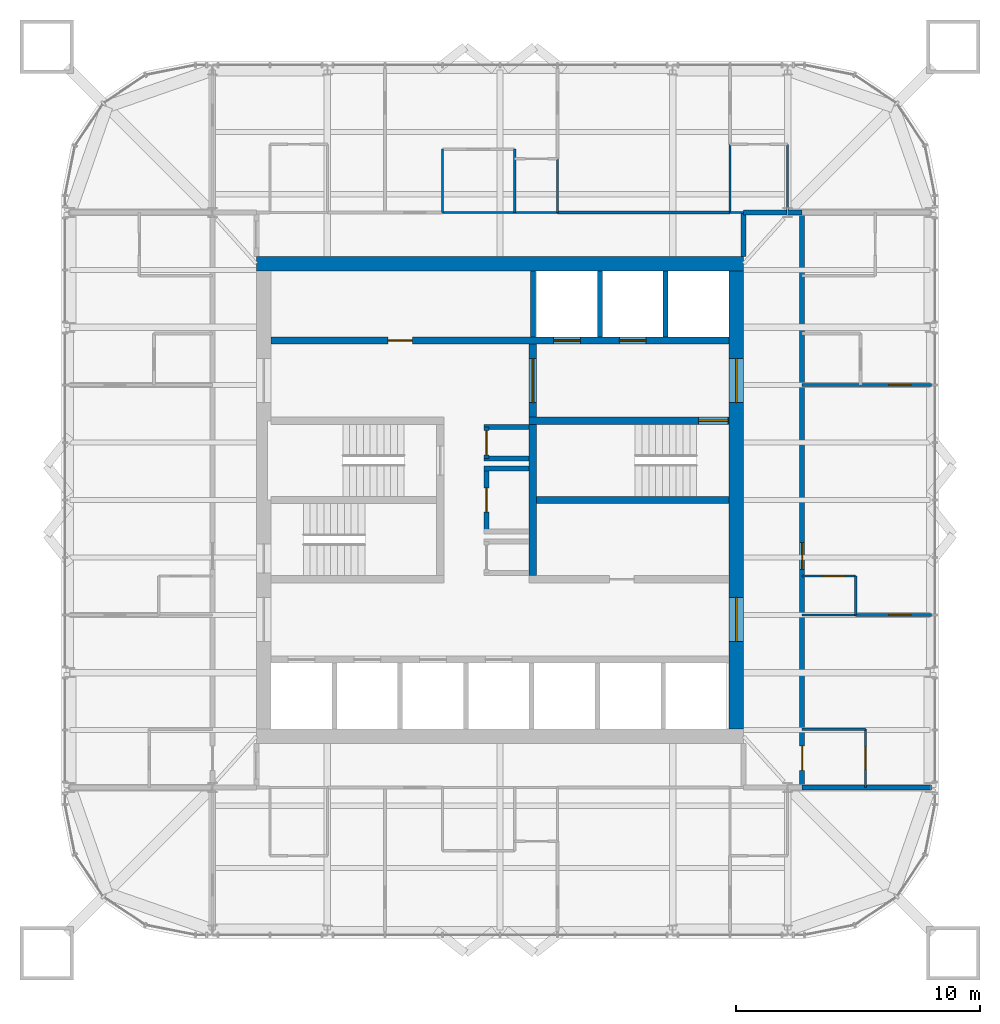
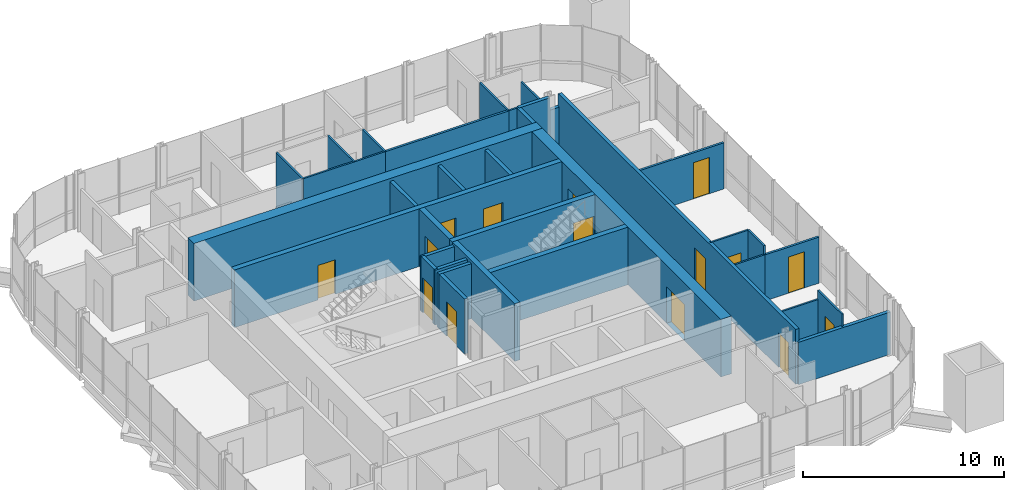
# One storey, part 15 of 17: 34 walls, 15 doors, 15 openings.
"""IFC4 building model written with IfcOpenShell, lengths in metres."""

from ifc_helpers import new_model, si_unit, direction, frame, frame_2d, origin, place, context, subcontext, project, spatial, rectangle, extrude, material, layer, layer_set, type_object, element, fill, save


model = new_model("IFC4")

# Units and contexts
model_context = context("Model", 3, precision=1e-05, world=origin(), true_north=direction((0.0, 1.0)))
body_context = subcontext(model_context, "Body", "Model", "MODEL_VIEW")
ifc_project = project(units=[si_unit("LENGTHUNIT", "METRE"), si_unit("AREAUNIT", "SQUARE_METRE"), si_unit("VOLUMEUNIT", "CUBIC_METRE"), si_unit("PLANEANGLEUNIT", "RADIAN"), si_unit("MASSUNIT", "GRAM", prefix="KILO")], contexts=[model_context])

# Site, building, storey
site_placement = place(None, origin())
site = spatial("IfcSite", under=ifc_project, at=site_placement, CompositionType="ELEMENT")
building_placement = place(site_placement, origin())
building = spatial("IfcBuilding", under=site, at=building_placement, Name="Turquesa Mirador Hotel Tower", CompositionType="ELEMENT")
storey_placement = place(building_placement, frame((0.0, 0.0, 247.699951171875)))
storey = spatial("IfcBuildingStorey", under=building, at=storey_placement, Name="L67", CompositionType="ELEMENT", Elevation=247.699951171875)

# Wall, opening, door
ifc_material_1 = material(Name="Gypsum board on steel studs", Category="steel")
ifc_layer_1 = layer(ifc_material_1, 0.10009765625)
ifc_layer_set_1 = layer_set([ifc_layer_1], Name="BATHROOM WALL 100")
wall_type_1 = type_object("IfcWallType", Name="BATHROOM WALL 100", PredefinedType="PARTITIONING", material=ifc_layer_set_1)
wall_1_placement = place(storey_placement, frame((67.39990234375, 41.8798828125, 0.0), z_axis=(0.0, 0.0, 1.0), x_axis=(1.0, 0.0, 0.0)))
wall_1 = element("IfcWall", 1, at=wall_1_placement, inside=storey, type_object=wall_type_1, Name="Partition L67 016", PredefinedType="PARTITIONING", context=body_context, shape_type="SweptSolid", body=[
    extrude(rectangle(XDim=2.2001953125, YDim=0.10009765625, at=frame_2d((1.10009765625, 0.0))), origin(), (0.0, 0.0, 1.0), 3.330078125),
])
opening_1_placement = place(wall_1_placement, frame((0.85009765625, 0.0, 0.0)))
opening_1 = element("IfcOpeningElement", 2, at=opening_1_placement, cuts=wall_1, Name="Opening D06", PredefinedType="OPENING", context=body_context, shape_type="SweptSolid", body=[
    extrude(rectangle(XDim=0.89990234375, YDim=2.10009765625, at=frame_2d((0.449951171875, 1.050048828125))), frame((0.0, 0.06005859375, 0.0), z_axis=(0.0, -1.0, 0.0), x_axis=(1.0, 0.0, 0.0)), (0.0, 0.0, 1.0), 0.1201171875),
])
ifc_material_2 = material(Name="Laminate door", Category="wood")
door_type_1 = type_object("IfcDoorType", Name="DOOR 900X2100 WC", OperationType="SINGLE_SWING_LEFT", PredefinedType="DOOR", material=ifc_material_2)
door_1_placement = place(opening_1_placement, origin())
door_1 = element("IfcDoor", 3, at=door_1_placement, inside=storey, type_object=door_type_1, Name="Door 6703W", OperationType="SINGLE_SWING_LEFT", OverallHeight=2.10009765625, OverallWidth=0.89990234375, PredefinedType="DOOR", context=body_context, shape_type="SweptSolid", body=[
    extrude(rectangle(XDim=0.89990234375, YDim=2.10009765625, at=frame_2d((0.449951171875, 1.050048828125))), frame((0.0, 0.02490234375, 0.0), z_axis=(0.0, -1.0, 0.0), x_axis=(1.0, 0.0, 0.0)), (0.0, 0.0, 1.0), 0.050048828125),
])
fill(opening_1, door_1)

# Walls
wall_2_placement = place(storey_placement, frame((67.39990234375, 40.280029296875, 0.0), z_axis=(0.0, 0.0, 1.0), x_axis=(1.0, 0.0, 0.0)))
element("IfcWall", 4, at=wall_2_placement, inside=storey, type_object=wall_type_1, Name="Partition L67 018", PredefinedType="PARTITIONING", context=body_context, shape_type="SweptSolid", body=[
    extrude(rectangle(XDim=2.2001953125, YDim=0.10009765625, at=frame_2d((1.10009765625, 0.0))), origin(), (0.0, 0.0, 1.0), 2.796630859375),
])
wall_3_placement = place(storey_placement, frame((67.39990234375, 35.60009765625, 0.0), z_axis=(0.0, 0.0, 1.0), x_axis=(1.0, 0.0, 0.0)))
element("IfcWall", 5, at=wall_3_placement, inside=storey, type_object=wall_type_1, Name="Partition L67 022", PredefinedType="PARTITIONING", context=body_context, shape_type="SweptSolid", body=[
    extrude(rectangle(XDim=2.60009765625, YDim=0.10009765625, at=frame_2d((1.300048828125, 0.0))), origin(), (0.0, 0.0, 1.0), 2.796630859375),
])
wall_4_placement = place(storey_placement, frame((52.639892578125, 56.800048828125, 0.0), z_axis=(0.0, 0.0, 1.0), x_axis=(1.0, 0.0, 0.0)))
element("IfcWall", 6, at=wall_4_placement, inside=storey, type_object=wall_type_1, Name="Partition L67 024", PredefinedType="PARTITIONING", context=body_context, shape_type="SweptSolid", body=[
    extrude(rectangle(XDim=4.72021484375, YDim=0.10009765625, at=frame_2d((2.360107421875, 0.0))), origin(), (0.0, 0.0, 1.0), 3.330078125),
])
wall_5_placement = place(storey_placement, frame((64.43994140625, 56.800048828125, 0.0), z_axis=(0.0, 0.0, 1.0), x_axis=(1.0, 0.0, 0.0)))
element("IfcWall", 7, at=wall_5_placement, inside=storey, type_object=wall_type_1, Name="Partition L67 025", PredefinedType="PARTITIONING", context=body_context, shape_type="SweptSolid", body=[
    extrude(rectangle(XDim=0.56005859375, YDim=0.10009765625, at=frame_2d((0.280029296875, 0.0))), origin(), (0.0, 0.0, 1.0), 3.330078125),
])
for number, where, z_axis, x_axis, name in (
    (8, (52.639892578125, 56.800048828125, 0.0), (0.0, 0.0, 1.0), (0.0, 1.0, 0.0), "Partition L67 053"),
    (9, (55.60009765625, 56.800048828125, 0.0), (0.0, 0.0, 1.0), (0.0, 1.0, 0.0), "Partition L67 061"),
):
    element("IfcWall", number, at=place(storey_placement, frame(where, z_axis=z_axis, x_axis=x_axis)), inside=storey, type_object=wall_type_1, Name=name, PredefinedType="PARTITIONING", context=body_context, shape_type="SweptSolid", body=[
        extrude(rectangle(XDim=2.599853515625, YDim=0.10009765625, at=frame_2d((1.2998046875, 0.0))), origin(), (0.0, 0.0, 1.0), 3.330078125),
    ])
wall_6_placement = place(storey_placement, frame((66.800048828125, 56.800048828125, 0.0), z_axis=(0.0, 0.0, 1.0), x_axis=(0.0, 1.0, 0.0)))
element("IfcWall", 10, at=wall_6_placement, inside=storey, type_object=wall_type_1, Name="Partition L67 065", PredefinedType="PARTITIONING", context=body_context, shape_type="SweptSolid", body=[
    extrude(rectangle(XDim=2.800048828125, YDim=0.10009765625, at=frame_2d((1.39990234375, 0.0))), origin(), (0.0, 0.0, 1.0), 2.5732421875),
])
wall_7_placement = place(storey_placement, frame((69.60009765625, 40.280029296875, 0.0), z_axis=(0.0, 0.0, 1.0), x_axis=(0.0, 1.0, 0.0)))
element("IfcWall", 11, at=wall_7_placement, inside=storey, type_object=wall_type_1, Name="Partition L67 067", PredefinedType="PARTITIONING", context=body_context, shape_type="SweptSolid", body=[
    extrude(rectangle(XDim=1.599853515625, YDim=0.10009765625, at=frame_2d((0.7998046875, 0.0))), origin(), (0.0, 0.0, 1.0), 3.330078125),
])

# Wall, opening, door
wall_8_placement = place(storey_placement, frame((70.0, 33.199951171875, 0.0), z_axis=(0.0, 0.0, 1.0), x_axis=(0.0, 1.0, 0.0)))
wall_8 = element("IfcWall", 12, at=wall_8_placement, inside=storey, type_object=wall_type_1, Name="Partition L67 069", PredefinedType="PARTITIONING", context=body_context, shape_type="SweptSolid", body=[
    extrude(rectangle(XDim=2.400146484375, YDim=0.10009765625, at=frame_2d((1.2001953125, 0.0))), origin(), (0.0, 0.0, 1.0), 3.330078125),
])
opening_2_placement = place(wall_8_placement, frame((0.75, 0.0, 0.0)))
opening_2 = element("IfcOpeningElement", 13, at=opening_2_placement, cuts=wall_8, Name="Opening D17", PredefinedType="OPENING", context=body_context, shape_type="SweptSolid", body=[
    extrude(rectangle(XDim=0.89990234375, YDim=2.199951171875, at=frame_2d((0.449951171875, 1.10009765625))), frame((0.0, 0.06005859375, 0.0), z_axis=(0.0, -1.0, 0.0), x_axis=(1.0, 0.0, 0.0)), (0.0, 0.0, 1.0), 0.1201171875),
])
ifc_material_3 = material(Name="Timber veneered door", Category="wood")
door_type_2 = type_object("IfcDoorType", Name="DOOR 900X2200 SUITE INTERNAL", OperationType="SINGLE_SWING_LEFT", PredefinedType="DOOR", material=ifc_material_3)
door_2_placement = place(opening_2_placement, origin())
door_2 = element("IfcDoor", 14, at=door_2_placement, inside=storey, type_object=door_type_2, Name="Door 6703P", OperationType="SINGLE_SWING_LEFT", OverallHeight=2.199951171875, OverallWidth=0.89990234375, PredefinedType="DOOR", context=body_context, shape_type="SweptSolid", body=[
    extrude(rectangle(XDim=0.89990234375, YDim=2.199951171875, at=frame_2d((0.449951171875, 1.10009765625))), frame((0.0, 0.02490234375, 0.0), z_axis=(0.0, -1.0, 0.0), x_axis=(1.0, 0.0, 0.0)), (0.0, 0.0, 1.0), 0.050048828125),
])
fill(opening_2, door_2)

# Walls
wall_9_placement = place(storey_placement, frame((57.360107421875, 56.800048828125, 0.0), z_axis=(0.0, 0.0, 1.0), x_axis=(0.0, 1.0, 0.0)))
element("IfcWall", 15, at=wall_9_placement, inside=storey, type_object=wall_type_1, Name="Partition L67 072", PredefinedType="PARTITIONING", context=body_context, shape_type="SweptSolid", body=[
    extrude(rectangle(XDim=2.199951171875, YDim=0.10009765625, at=frame_2d((1.10009765625, 0.0))), origin(), (0.0, 0.0, 1.0), 3.330078125),
])
wall_10_placement = place(storey_placement, frame((64.43994140625, 56.800048828125, 0.0), z_axis=(0.0, 0.0, 1.0), x_axis=(0.0, 1.0, 0.0)))
element("IfcWall", 16, at=wall_10_placement, inside=storey, type_object=wall_type_1, Name="Partition L67 076", PredefinedType="PARTITIONING", context=body_context, shape_type="SweptSolid", body=[
    extrude(rectangle(XDim=2.800048828125, YDim=0.10009765625, at=frame_2d((1.39990234375, 0.0))), origin(), (0.0, 0.0, 1.0), 3.330078125),
])

# Wall, openings, doors
ifc_material_4 = material(Name="Concrete C50/60", Category="concrete")
ifc_layer_2 = layer(ifc_material_4, 0.300048828125)
ifc_layer_set_2 = layer_set([ifc_layer_2], Name="CORE INNER WALL 300")
wall_type_2 = type_object("IfcWallType", Name="CORE INNER WALL 300", PredefinedType="SHEAR", material=ifc_layer_set_2)
wall_11_placement = place(storey_placement, frame((45.60009765625, 51.550048828125, 0.0), z_axis=(0.0, 0.0, 1.0), x_axis=(1.0, 0.0, 0.0)))
wall_11 = element("IfcWall", 17, at=wall_11_placement, inside=storey, type_object=wall_type_2, Name="Core wall NL", PredefinedType="SHEAR", context=body_context, shape_type="SweptSolid", body=[
    extrude(rectangle(XDim=18.7998046875, YDim=0.300048828125, at=frame_2d((9.39990234375, 0.0))), origin(), (0.0, 0.0, 1.0), 3.5),
])
opening_3_placement = place(wall_11_placement, frame((4.800048828125, 0.0, 0.0)))
opening_3 = element("IfcOpeningElement", 18, at=opening_3_placement, cuts=wall_11, Name="Opening D05", PredefinedType="OPENING", context=body_context, shape_type="SweptSolid", body=[
    extrude(rectangle(XDim=1.0, YDim=2.10009765625, at=frame_2d((0.5, 1.050048828125))), frame((0.0, 0.159912109375, 0.0), z_axis=(0.0, -1.0, 0.0), x_axis=(1.0, 0.0, 0.0)), (0.0, 0.0, 1.0), 0.320068359375),
])
opening_4_placement = place(wall_11_placement, frame((11.60009765625, 0.0, 0.0)))
opening_4 = element("IfcOpeningElement", 19, at=opening_4_placement, cuts=wall_11, Name="Opening LD", PredefinedType="OPENING", context=body_context, shape_type="SweptSolid", body=[
    extrude(rectangle(XDim=1.10009765625, YDim=2.199951171875, at=frame_2d((0.550048828125, 1.10009765625))), frame((0.0, 0.159912109375, 0.0), z_axis=(0.0, -1.0, 0.0), x_axis=(1.0, 0.0, 0.0)), (0.0, 0.0, 1.0), 0.320068359375),
])
opening_5_placement = place(wall_11_placement, frame((14.300048828125, 0.0, 0.0)))
opening_5 = element("IfcOpeningElement", 20, at=opening_5_placement, cuts=wall_11, Name="Opening LD", PredefinedType="OPENING", context=body_context, shape_type="SweptSolid", body=[
    extrude(rectangle(XDim=1.10009765625, YDim=2.199951171875, at=frame_2d((0.550048828125, 1.10009765625))), frame((0.0, 0.159912109375, 0.0), z_axis=(0.0, -1.0, 0.0), x_axis=(1.0, 0.0, 0.0)), (0.0, 0.0, 1.0), 0.320068359375),
])
ifc_material_5 = material(Name="Steel fire door", Category="steel")
door_type_3 = type_object("IfcDoorType", Name="DOOR 1000X2100 SERVICE", OperationType="SINGLE_SWING_LEFT", PredefinedType="DOOR", material=ifc_material_5)
door_3_placement = place(opening_3_placement, origin())
door_3 = element("IfcDoor", 21, at=door_3_placement, inside=storey, type_object=door_type_3, Name="Linen store door", OperationType="SINGLE_SWING_LEFT", OverallHeight=2.10009765625, OverallWidth=1.0, PredefinedType="DOOR", context=body_context, shape_type="SweptSolid", body=[
    extrude(rectangle(XDim=1.0, YDim=2.10009765625, at=frame_2d((0.5, 1.050048828125))), frame((0.0, 0.02490234375, 0.0), z_axis=(0.0, -1.0, 0.0), x_axis=(1.0, 0.0, 0.0)), (0.0, 0.0, 1.0), 0.050048828125),
])
fill(opening_3, door_3)
ifc_material_6 = material(Name="Stainless steel lift landing door", Category="steel")
door_type_4 = type_object("IfcDoorType", Name="LIFT LANDING DOOR 1100X2200", OperationType="SLIDING_TO_LEFT", PredefinedType="DOOR", material=ifc_material_6)
door_4_placement = place(opening_4_placement, origin())
door_4 = element("IfcDoor", 22, at=door_4_placement, inside=storey, type_object=door_type_4, Name="Lift S1 landing door", OperationType="SLIDING_TO_LEFT", OverallHeight=2.199951171875, OverallWidth=1.10009765625, PredefinedType="DOOR", context=body_context, shape_type="SweptSolid", body=[
    extrude(rectangle(XDim=1.10009765625, YDim=2.199951171875, at=frame_2d((0.550048828125, 1.10009765625))), frame((0.0, 0.02490234375, 0.0), z_axis=(0.0, -1.0, 0.0), x_axis=(1.0, 0.0, 0.0)), (0.0, 0.0, 1.0), 0.050048828125),
])
fill(opening_4, door_4)
door_5_placement = place(opening_5_placement, origin())
door_5 = element("IfcDoor", 23, at=door_5_placement, inside=storey, type_object=door_type_4, Name="Lift S2 landing door", OperationType="SLIDING_TO_LEFT", OverallHeight=2.199951171875, OverallWidth=1.10009765625, PredefinedType="DOOR", context=body_context, shape_type="SweptSolid", body=[
    extrude(rectangle(XDim=1.10009765625, YDim=2.199951171875, at=frame_2d((0.550048828125, 1.10009765625))), frame((0.0, 0.02490234375, 0.0), z_axis=(0.0, -1.0, 0.0), x_axis=(1.0, 0.0, 0.0)), (0.0, 0.0, 1.0), 0.050048828125),
])
fill(opening_5, door_5)

# Wall, opening, door
wall_12_placement = place(storey_placement, frame((56.199951171875, 48.25, 0.0), z_axis=(0.0, 0.0, 1.0), x_axis=(1.0, 0.0, 0.0)))
wall_12 = element("IfcWall", 24, at=wall_12_placement, inside=storey, type_object=wall_type_2, Name="Core wall MN-E", PredefinedType="SHEAR", context=body_context, shape_type="SweptSolid", body=[
    extrude(rectangle(XDim=8.199951171875, YDim=0.300048828125, at=frame_2d((4.10009765625, 0.0))), origin(), (0.0, 0.0, 1.0), 3.5),
])
opening_6_placement = place(wall_12_placement, frame((6.949951171875, 0.0, 0.0)))
opening_6 = element("IfcOpeningElement", 25, at=opening_6_placement, cuts=wall_12, Name="Opening D03", PredefinedType="OPENING", context=body_context, shape_type="SweptSolid", body=[
    extrude(rectangle(XDim=1.199951171875, YDim=2.199951171875, at=frame_2d((0.60009765625, 1.10009765625))), frame((0.0, 0.159912109375, 0.0), z_axis=(0.0, -1.0, 0.0), x_axis=(1.0, 0.0, 0.0)), (0.0, 0.0, 1.0), 0.320068359375),
])
ifc_material_7 = material(Name="Steel fire door", Category="steel")
door_type_5 = type_object("IfcDoorType", Name="DOOR 1200X2200 STAIR", OperationType="SINGLE_SWING_LEFT", PredefinedType="DOOR", material=ifc_material_7)
door_6_placement = place(opening_6_placement, origin())
door_6 = element("IfcDoor", 26, at=door_6_placement, inside=storey, type_object=door_type_5, Name="Stair ST3 door", OperationType="SINGLE_SWING_LEFT", OverallHeight=2.199951171875, OverallWidth=1.199951171875, PredefinedType="DOOR", context=body_context, shape_type="SweptSolid", body=[
    extrude(rectangle(XDim=1.199951171875, YDim=2.199951171875, at=frame_2d((0.60009765625, 1.10009765625))), frame((0.0, 0.02490234375, 0.0), z_axis=(0.0, -1.0, 0.0), x_axis=(1.0, 0.0, 0.0)), (0.0, 0.0, 1.0), 0.050048828125),
])
fill(opening_6, door_6)

wall_13_placement = place(storey_placement, frame((56.35009765625, 41.89990234375, 0.0), z_axis=(0.0, 0.0, 1.0), x_axis=(0.0, 1.0, 0.0)))
wall_13 = element("IfcWall", 27, at=wall_13_placement, inside=storey, type_object=wall_type_2, Name="Core wall PE", PredefinedType="SHEAR", context=body_context, shape_type="SweptSolid", body=[
    extrude(rectangle(XDim=9.5, YDim=0.300048828125, at=frame_2d((4.75, 0.0))), origin(), (0.0, 0.0, 1.0), 3.5),
])
opening_7_placement = place(wall_13_placement, frame((7.10009765625, 0.0, 0.0)))
opening_7 = element("IfcOpeningElement", 28, at=opening_7_placement, cuts=wall_13, Name="Opening D04", PredefinedType="OPENING", context=body_context, shape_type="SweptSolid", body=[
    extrude(rectangle(XDim=1.800048828125, YDim=2.199951171875, at=frame_2d((0.89990234375, 1.10009765625))), frame((0.0, 0.159912109375, 0.0), z_axis=(0.0, -1.0, 0.0), x_axis=(1.0, 0.0, 0.0)), (0.0, 0.0, 1.0), 0.320068359375),
])
ifc_material_8 = material(Name="Steel fire door pair", Category="steel")
door_type_6 = type_object("IfcDoorType", Name="DOOR 1800X2200 PAIR", OperationType="DOUBLE_DOOR_SINGLE_SWING", PredefinedType="DOOR", material=ifc_material_8)
door_7_placement = place(opening_7_placement, origin())
door_7 = element("IfcDoor", 29, at=door_7_placement, inside=storey, type_object=door_type_6, Name="Firefighting lobby inner door", OperationType="DOUBLE_DOOR_SINGLE_SWING", OverallHeight=2.199951171875, OverallWidth=1.800048828125, PredefinedType="DOOR", context=body_context, shape_type="SweptSolid", body=[
    extrude(rectangle(XDim=1.800048828125, YDim=2.199951171875, at=frame_2d((0.89990234375, 1.10009765625))), frame((0.0, 0.02490234375, 0.0), z_axis=(0.0, -1.0, 0.0), x_axis=(1.0, 0.0, 0.0)), (0.0, 0.0, 1.0), 0.050048828125),
])
fill(opening_7, door_7)

# Walls
wall_14_placement = place(storey_placement, frame((56.5, 45.0, 0.0), z_axis=(0.0, 0.0, 1.0), x_axis=(1.0, 0.0, 0.0)))
element("IfcWall", 30, at=wall_14_placement, inside=storey, type_object=wall_type_2, Name="Core wall M0-E", PredefinedType="SHEAR", context=body_context, shape_type="SweptSolid", body=[
    extrude(rectangle(XDim=7.89990234375, YDim=0.300048828125, at=frame_2d((3.949951171875, 0.0))), origin(), (0.0, 0.0, 1.0), 3.5),
])
ifc_material_9 = material(Name="Concrete C50/60", Category="concrete")
ifc_layer_3 = layer(ifc_material_9, 0.60009765625)
ifc_layer_set_3 = layer_set([ifc_layer_3], Name="CORE WALL 600")
wall_type_3 = type_object("IfcWallType", Name="CORE WALL 600", PredefinedType="SHEAR", material=ifc_layer_set_3)
wall_15_placement = place(storey_placement, frame((45.0, 54.699951171875, 0.0), z_axis=(0.0, 0.0, 1.0), x_axis=(1.0, 0.0, 0.0)))
element("IfcWall", 31, at=wall_15_placement, inside=storey, type_object=wall_type_3, Name="Core wall N", PredefinedType="SHEAR", context=body_context, shape_type="SweptSolid", body=[
    extrude(rectangle(XDim=20.0, YDim=0.60009765625, at=frame_2d((10.0, 0.0))), origin(), (0.0, 0.0, 1.0), 3.5),
])

# Wall, openings, doors
wall_16_placement = place(storey_placement, frame((64.699951171875, 35.60009765625, 0.0), z_axis=(0.0, 0.0, 1.0), x_axis=(0.0, 1.0, 0.0)))
wall_16 = element("IfcWall", 32, at=wall_16_placement, inside=storey, type_object=wall_type_3, Name="Core wall E", PredefinedType="SHEAR", context=body_context, shape_type="SweptSolid", body=[
    extrude(rectangle(XDim=18.7998046875, YDim=0.60009765625, at=frame_2d((9.39990234375, 0.0))), origin(), (0.0, 0.0, 1.0), 3.5),
])
opening_8_placement = place(wall_16_placement, frame((13.39990234375, 0.0, 0.0)))
opening_8 = element("IfcOpeningElement", 33, at=opening_8_placement, cuts=wall_16, Name="Opening D04", PredefinedType="OPENING", context=body_context, shape_type="SweptSolid", body=[
    extrude(rectangle(XDim=1.800048828125, YDim=2.199951171875, at=frame_2d((0.89990234375, 1.10009765625))), frame((0.0, 0.31005859375, 0.0), z_axis=(0.0, -1.0, 0.0), x_axis=(1.0, 0.0, 0.0)), (0.0, 0.0, 1.0), 0.6201171875),
])
opening_9_placement = place(wall_16_placement, frame((3.60009765625, 0.0, 0.0)))
opening_9 = element("IfcOpeningElement", 34, at=opening_9_placement, cuts=wall_16, Name="Opening D04", PredefinedType="OPENING", context=body_context, shape_type="SweptSolid", body=[
    extrude(rectangle(XDim=1.800048828125, YDim=2.199951171875, at=frame_2d((0.89990234375, 1.10009765625))), frame((0.0, 0.31005859375, 0.0), z_axis=(0.0, -1.0, 0.0), x_axis=(1.0, 0.0, 0.0)), (0.0, 0.0, 1.0), 0.6201171875),
])
door_8_placement = place(opening_8_placement, origin())
door_8 = element("IfcDoor", 35, at=door_8_placement, inside=storey, type_object=door_type_6, Name="Firefighting lobby door", OperationType="DOUBLE_DOOR_SINGLE_SWING", OverallHeight=2.199951171875, OverallWidth=1.800048828125, PredefinedType="DOOR", context=body_context, shape_type="SweptSolid", body=[
    extrude(rectangle(XDim=1.800048828125, YDim=2.199951171875, at=frame_2d((0.89990234375, 1.10009765625))), frame((0.0, 0.02490234375, 0.0), z_axis=(0.0, -1.0, 0.0), x_axis=(1.0, 0.0, 0.0)), (0.0, 0.0, 1.0), 0.050048828125),
])
fill(opening_8, door_8)
door_9_placement = place(opening_9_placement, origin())
door_9 = element("IfcDoor", 36, at=door_9_placement, inside=storey, type_object=door_type_6, Name="South lift lobby door", OperationType="DOUBLE_DOOR_SINGLE_SWING", OverallHeight=2.199951171875, OverallWidth=1.800048828125, PredefinedType="DOOR", context=body_context, shape_type="SweptSolid", body=[
    extrude(rectangle(XDim=1.800048828125, YDim=2.199951171875, at=frame_2d((0.89990234375, 1.10009765625))), frame((0.0, 0.02490234375, 0.0), z_axis=(0.0, -1.0, 0.0), x_axis=(1.0, 0.0, 0.0)), (0.0, 0.0, 1.0), 0.050048828125),
])
fill(opening_9, door_9)

# Walls
ifc_material_10 = material(Name="Fire-rated gypsum board on steel studs", Category="steel")
ifc_layer_4 = layer(ifc_material_10, 0.199951171875)
ifc_layer_set_4 = layer_set([ifc_layer_4], Name="CORRIDOR WALL 200")
wall_type_4 = type_object("IfcWallType", Name="CORRIDOR WALL 200", PredefinedType="PARTITIONING", material=ifc_layer_set_4)
wall_17_placement = place(storey_placement, frame((65.0, 56.800048828125, 0.0), z_axis=(0.0, 0.0, 1.0), x_axis=(1.0, 0.0, 0.0)))
element("IfcWall", 37, at=wall_17_placement, inside=storey, type_object=wall_type_4, Name="Partition L67 027", PredefinedType="PARTITIONING", context=body_context, shape_type="SweptSolid", body=[
    extrude(rectangle(XDim=1.780029296875, YDim=0.199951171875, at=frame_2d((0.89013671875, 0.0))), origin(), (0.0, 0.0, 1.0), 3.330078125),
])
wall_18_placement = place(storey_placement, frame((65.0, 55.0, 0.0), z_axis=(0.0, 0.0, 1.0), x_axis=(0.0, 1.0, 0.0)))
element("IfcWall", 38, at=wall_18_placement, inside=storey, type_object=wall_type_4, Name="Partition L67 063", PredefinedType="PARTITIONING", context=body_context, shape_type="SweptSolid", body=[
    extrude(rectangle(XDim=1.800048828125, YDim=0.199951171875, at=frame_2d((0.89990234375, 0.0))), origin(), (0.0, 0.0, 1.0), 3.330078125),
])

# Wall, openings, doors
wall_19_placement = place(storey_placement, frame((67.39990234375, 33.199951171875, 0.0), z_axis=(0.0, 0.0, 1.0), x_axis=(0.0, 1.0, 0.0)))
wall_19 = element("IfcWall", 39, at=wall_19_placement, inside=storey, type_object=wall_type_4, Name="Partition L67 066", PredefinedType="PARTITIONING", context=body_context, shape_type="SweptSolid", body=[
    extrude(rectangle(XDim=23.60009765625, YDim=0.199951171875, at=frame_2d((11.800048828125, 0.0))), origin(), (0.0, 0.0, 1.0), 3.330078125),
])
opening_10_placement = place(wall_19_placement, frame((8.949951171875, 0.0, 0.0)))
opening_10 = element("IfcOpeningElement", 40, at=opening_10_placement, cuts=wall_19, Name="Opening D15", PredefinedType="OPENING", context=body_context, shape_type="SweptSolid", body=[
    extrude(rectangle(XDim=1.10009765625, YDim=2.199951171875, at=frame_2d((0.550048828125, 1.10009765625))), frame((0.0, 0.10986328125, 0.0), z_axis=(0.0, -1.0, 0.0), x_axis=(1.0, 0.0, 0.0)), (0.0, 0.0, 1.0), 0.219970703125),
])
opening_11_placement = place(wall_19_placement, frame((0.699951171875, 0.0, 0.0)))
opening_11 = element("IfcOpeningElement", 41, at=opening_11_placement, cuts=wall_19, Name="Opening D05", PredefinedType="OPENING", context=body_context, shape_type="SweptSolid", body=[
    extrude(rectangle(XDim=1.0, YDim=2.10009765625, at=frame_2d((0.5, 1.050048828125))), frame((0.0, 0.10986328125, 0.0), z_axis=(0.0, -1.0, 0.0), x_axis=(1.0, 0.0, 0.0)), (0.0, 0.0, 1.0), 0.219970703125),
])
door_10_placement = place(opening_11_placement, origin())
door_10 = element("IfcDoor", 42, at=door_10_placement, inside=storey, type_object=door_type_3, Name="Door 6703P-1", OperationType="SINGLE_SWING_LEFT", OverallHeight=2.10009765625, OverallWidth=1.0, PredefinedType="DOOR", context=body_context, shape_type="SweptSolid", body=[
    extrude(rectangle(XDim=1.0, YDim=2.10009765625, at=frame_2d((0.5, 1.050048828125))), frame((0.0, 0.02490234375, 0.0), z_axis=(0.0, -1.0, 0.0), x_axis=(1.0, 0.0, 0.0)), (0.0, 0.0, 1.0), 0.050048828125),
])
fill(opening_11, door_10)
ifc_material_11 = material(Name="Timber veneered fire door", Category="wood")
door_type_7 = type_object("IfcDoorType", Name="DOOR 1100X2200 SUITE ENTRY", OperationType="SINGLE_SWING_LEFT", PredefinedType="DOOR", material=ifc_material_11)
door_11_placement = place(opening_10_placement, origin())
door_11 = element("IfcDoor", 43, at=door_11_placement, inside=storey, type_object=door_type_7, Name="Door 6703", OperationType="SINGLE_SWING_LEFT", OverallHeight=2.199951171875, OverallWidth=1.10009765625, PredefinedType="DOOR", context=body_context, shape_type="SweptSolid", body=[
    extrude(rectangle(XDim=1.10009765625, YDim=2.199951171875, at=frame_2d((0.550048828125, 1.10009765625))), frame((0.0, 0.02490234375, 0.0), z_axis=(0.0, -1.0, 0.0), x_axis=(1.0, 0.0, 0.0)), (0.0, 0.0, 1.0), 0.050048828125),
])
fill(opening_10, door_11)

# Wall
wall_20_placement = place(storey_placement, frame((66.780029296875, 56.800048828125, 0.0), z_axis=(0.0, 0.0, 1.0), x_axis=(1.0, 0.0, 0.0)))
element("IfcWall", 44, at=wall_20_placement, inside=storey, type_object=wall_type_4, Name="Partition L67 080", PredefinedType="PARTITIONING", context=body_context, shape_type="SweptSolid", body=[
    extrude(rectangle(XDim=0.619873046875, YDim=0.199951171875, at=frame_2d((0.31005859375, 0.0))), origin(), (0.0, 0.0, 1.0), 2.5732421875),
])

# Wall, opening, door
ifc_material_12 = material(Name="Fire-rated gypsum board on steel studs", Category="steel")
ifc_layer_5 = layer(ifc_material_12, 0.199951171875)
ifc_layer_set_5 = layer_set([ifc_layer_5], Name="FIRE PARTITION 200")
wall_type_5 = type_object("IfcWallType", Name="FIRE PARTITION 200", PredefinedType="PARTITIONING", material=ifc_layer_set_5)
wall_21_placement = place(storey_placement, frame((54.449951171875, 43.699951171875, 0.0), z_axis=(0.0, 0.0, 1.0), x_axis=(0.0, 1.0, 0.0)))
wall_21 = element("IfcWall", 45, at=wall_21_placement, inside=storey, type_object=wall_type_5, Name="Partition L67 BO W", PredefinedType="PARTITIONING", context=body_context, shape_type="SweptSolid", body=[
    extrude(rectangle(XDim=2.60009765625, YDim=0.199951171875, at=frame_2d((1.300048828125, 0.0))), origin(), (0.0, 0.0, 1.0), 3.330078125),
])
opening_12_placement = place(wall_21_placement, frame((0.800048828125, 0.0, 0.0)))
opening_12 = element("IfcOpeningElement", 46, at=opening_12_placement, cuts=wall_21, Name="Opening D05", PredefinedType="OPENING", context=body_context, shape_type="SweptSolid", body=[
    extrude(rectangle(XDim=1.0, YDim=2.10009765625, at=frame_2d((0.5, 1.050048828125))), frame((0.0, 0.10986328125, 0.0), z_axis=(0.0, -1.0, 0.0), x_axis=(1.0, 0.0, 0.0)), (0.0, 0.0, 1.0), 0.219970703125),
])
door_12_placement = place(opening_12_placement, origin())
door_12 = element("IfcDoor", 47, at=door_12_placement, inside=storey, type_object=door_type_3, Name="Butler's pantry door", OperationType="SINGLE_SWING_LEFT", OverallHeight=2.10009765625, OverallWidth=1.0, PredefinedType="DOOR", context=body_context, shape_type="SweptSolid", body=[
    extrude(rectangle(XDim=1.0, YDim=2.10009765625, at=frame_2d((0.5, 1.050048828125))), frame((0.0, 0.02490234375, 0.0), z_axis=(0.0, -1.0, 0.0), x_axis=(1.0, 0.0, 0.0)), (0.0, 0.0, 1.0), 0.050048828125),
])
fill(opening_12, door_12)

# Wall
wall_22_placement = place(storey_placement, frame((54.35009765625, 46.300048828125, 0.0), z_axis=(0.0, 0.0, 1.0), x_axis=(1.0, 0.0, 0.0)))
element("IfcWall", 48, at=wall_22_placement, inside=storey, type_object=wall_type_5, Name="Partition L67 BO N", PredefinedType="PARTITIONING", context=body_context, shape_type="SweptSolid", body=[
    extrude(rectangle(XDim=1.849853515625, YDim=0.199951171875, at=frame_2d((0.9248046875, 0.0))), origin(), (0.0, 0.0, 1.0), 3.330078125),
])

# Wall, opening, door
wall_23_placement = place(storey_placement, frame((54.449951171875, 46.699951171875, 0.0), z_axis=(0.0, 0.0, 1.0), x_axis=(0.0, 1.0, 0.0)))
wall_23 = element("IfcWall", 49, at=wall_23_placement, inside=storey, type_object=wall_type_5, Name="Partition L67 SW W", PredefinedType="PARTITIONING", context=body_context, shape_type="SweptSolid", body=[
    extrude(rectangle(XDim=1.300048828125, YDim=0.199951171875, at=frame_2d((0.64990234375, 0.0))), origin(), (0.0, 0.0, 1.0), 3.330078125),
])
opening_13_placement = place(wall_23_placement, frame((0.14990234375, 0.0, 0.0)))
opening_13 = element("IfcOpeningElement", 50, at=opening_13_placement, cuts=wall_23, Name="Opening D05", PredefinedType="OPENING", context=body_context, shape_type="SweptSolid", body=[
    extrude(rectangle(XDim=1.0, YDim=2.10009765625, at=frame_2d((0.5, 1.050048828125))), frame((0.0, 0.10986328125, 0.0), z_axis=(0.0, -1.0, 0.0), x_axis=(1.0, 0.0, 0.0)), (0.0, 0.0, 1.0), 0.219970703125),
])
door_13_placement = place(opening_13_placement, origin())
door_13 = element("IfcDoor", 51, at=door_13_placement, inside=storey, type_object=door_type_3, Name="Staff WC door", OperationType="SINGLE_SWING_LEFT", OverallHeight=2.10009765625, OverallWidth=1.0, PredefinedType="DOOR", context=body_context, shape_type="SweptSolid", body=[
    extrude(rectangle(XDim=1.0, YDim=2.10009765625, at=frame_2d((0.5, 1.050048828125))), frame((0.0, 0.02490234375, 0.0), z_axis=(0.0, -1.0, 0.0), x_axis=(1.0, 0.0, 0.0)), (0.0, 0.0, 1.0), 0.050048828125),
])
fill(opening_13, door_13)

# Walls
for number, where, z_axis, x_axis, name in (
    (52, (54.35009765625, 46.699951171875, 0.0), (0.0, 0.0, 1.0), (1.0, 0.0, 0.0), "Partition L67 SW S"),
    (53, (54.35009765625, 48.0, 0.0), (0.0, 0.0, 1.0), (1.0, 0.0, 0.0), "Partition L67 SW N"),
):
    element("IfcWall", number, at=place(storey_placement, frame(where, z_axis=z_axis, x_axis=x_axis)), inside=storey, type_object=wall_type_5, Name=name, PredefinedType="PARTITIONING", context=body_context, shape_type="SweptSolid", body=[
        extrude(rectangle(XDim=1.849853515625, YDim=0.199951171875, at=frame_2d((0.9248046875, 0.0))), origin(), (0.0, 0.0, 1.0), 3.330078125),
    ])
ifc_material_13 = material(Name="Fire-rated gypsum shaft wall on steel studs", Category="steel")
ifc_layer_6 = layer(ifc_material_13, 0.199951171875)
ifc_layer_set_6 = layer_set([ifc_layer_6], Name="LIFT SHAFT DIVIDER 200")
wall_type_6 = type_object("IfcWallType", Name="LIFT SHAFT DIVIDER 200", PredefinedType="PARTITIONING", material=ifc_layer_set_6)
for number, where, z_axis, x_axis, name in (
    (54, (59.10009765625, 51.699951171875, 0.0), (0.0, 0.0, 1.0), (0.0, 1.0, 0.0), "Lift shaft divider"),
    (55, (61.800048828125, 51.699951171875, 0.0), (0.0, 0.0, 1.0), (0.0, 1.0, 0.0), "Lift shaft divider"),
    (56, (56.35009765625, 51.699951171875, 0.0), (0.0, 0.0, 1.0), (0.0, 1.0, 0.0), "Lift shaft divider"),
):
    element("IfcWall", number, at=place(storey_placement, frame(where, z_axis=z_axis, x_axis=x_axis)), inside=storey, type_object=wall_type_6, Name=name, PredefinedType="PARTITIONING", context=body_context, shape_type="SweptSolid", body=[
        extrude(rectangle(XDim=2.699951171875, YDim=0.199951171875, at=frame_2d((1.35009765625, 0.0))), origin(), (0.0, 0.0, 1.0), 3.330078125),
    ])
ifc_material_14 = material(Name="Fire-rated gypsum board on steel studs", Category="steel")
ifc_layer_7 = layer(ifc_material_14, 0.199951171875)
ifc_layer_set_7 = layer_set([ifc_layer_7], Name="PARTY WALL 200")
wall_type_7 = type_object("IfcWallType", Name="PARTY WALL 200", PredefinedType="PARTITIONING", material=ifc_layer_set_7)
wall_24_placement = place(storey_placement, frame((67.39990234375, 33.199951171875, 0.0), z_axis=(0.0, 0.0, 1.0), x_axis=(1.0, 0.0, 0.0)))
element("IfcWall", 57, at=wall_24_placement, inside=storey, type_object=wall_type_7, Name="Partition L67 007", PredefinedType="PARTITIONING", context=body_context, shape_type="SweptSolid", body=[
    extrude(rectangle(XDim=5.300048828125, YDim=0.199951171875, at=frame_2d((2.64990234375, 0.0))), origin(), (0.0, 0.0, 1.0), 2.5732421875),
])

# Wall, opening, door
ifc_material_15 = material(Name="Acoustic gypsum board on steel studs", Category="steel")
ifc_layer_8 = layer(ifc_material_15, 0.125)
ifc_layer_set_8 = layer_set([ifc_layer_8], Name="SUITE PARTITION 125")
wall_type_8 = type_object("IfcWallType", Name="SUITE PARTITION 125", PredefinedType="PARTITIONING", material=ifc_layer_set_8)
wall_25_placement = place(storey_placement, frame((69.60009765625, 40.280029296875, 0.0), z_axis=(0.0, 0.0, 1.0), x_axis=(1.0, 0.0, 0.0)))
wall_25 = element("IfcWall", 58, at=wall_25_placement, inside=storey, type_object=wall_type_8, Name="Partition L67 020", PredefinedType="PARTITIONING", context=body_context, shape_type="SweptSolid", body=[
    extrude(rectangle(XDim=3.099853515625, YDim=0.125, at=frame_2d((1.5498046875, 0.0))), origin(), (0.0, 0.0, 1.0), 2.796630859375),
])
opening_14_placement = place(wall_25_placement, frame((1.35009765625, 0.0, 0.0)))
opening_14 = element("IfcOpeningElement", 59, at=opening_14_placement, cuts=wall_25, Name="Opening D17", PredefinedType="OPENING", context=body_context, shape_type="SweptSolid", body=[
    extrude(rectangle(XDim=0.89990234375, YDim=2.199951171875, at=frame_2d((0.449951171875, 1.10009765625))), frame((0.0, 0.072509765625, 0.0), z_axis=(0.0, -1.0, 0.0), x_axis=(1.0, 0.0, 0.0)), (0.0, 0.0, 1.0), 0.14501953125),
])
door_14_placement = place(opening_14_placement, origin())
door_14 = element("IfcDoor", 60, at=door_14_placement, inside=storey, type_object=door_type_2, Name="Door 6703M", OperationType="SINGLE_SWING_LEFT", OverallHeight=2.199951171875, OverallWidth=0.89990234375, PredefinedType="DOOR", context=body_context, shape_type="SweptSolid", body=[
    extrude(rectangle(XDim=0.89990234375, YDim=2.199951171875, at=frame_2d((0.449951171875, 1.10009765625))), frame((0.0, 0.02490234375, 0.0), z_axis=(0.0, -1.0, 0.0), x_axis=(1.0, 0.0, 0.0)), (0.0, 0.0, 1.0), 0.050048828125),
])
fill(opening_14, door_14)

# Wall
wall_26_placement = place(storey_placement, frame((57.360107421875, 56.800048828125, 0.0), z_axis=(0.0, 0.0, 1.0), x_axis=(1.0, 0.0, 0.0)))
element("IfcWall", 61, at=wall_26_placement, inside=storey, type_object=wall_type_8, Name="Partition L67 032", PredefinedType="PARTITIONING", context=body_context, shape_type="SweptSolid", body=[
    extrude(rectangle(XDim=7.079833984375, YDim=0.125, at=frame_2d((3.5400390625, 0.0))), origin(), (0.0, 0.0, 1.0), 3.330078125),
])

# Wall, opening, door
wall_27_placement = place(storey_placement, frame((67.39990234375, 49.719970703125, 0.0), z_axis=(0.0, 0.0, 1.0), x_axis=(1.0, 0.0, 0.0)))
wall_27 = element("IfcWall", 62, at=wall_27_placement, inside=storey, type_object=wall_type_8, Name="Partition L67 038", PredefinedType="PARTITIONING", context=body_context, shape_type="SweptSolid", body=[
    extrude(rectangle(XDim=5.300048828125, YDim=0.125, at=frame_2d((2.64990234375, 0.0))), origin(), (0.0, 0.0, 1.0), 2.796630859375),
])
opening_15_placement = place(wall_27_placement, frame((3.550048828125, 0.0, 0.0)))
opening_15 = element("IfcOpeningElement", 63, at=opening_15_placement, cuts=wall_27, Name="Opening D17", PredefinedType="OPENING", context=body_context, shape_type="SweptSolid", body=[
    extrude(rectangle(XDim=0.89990234375, YDim=2.199951171875, at=frame_2d((0.449951171875, 1.10009765625))), frame((0.0, 0.072509765625, 0.0), z_axis=(0.0, -1.0, 0.0), x_axis=(1.0, 0.0, 0.0)), (0.0, 0.0, 1.0), 0.14501953125),
])
door_15_placement = place(opening_15_placement, origin())
door_15 = element("IfcDoor", 64, at=door_15_placement, inside=storey, type_object=door_type_2, Name="Door 6703R", OperationType="SINGLE_SWING_LEFT", OverallHeight=2.199951171875, OverallWidth=0.89990234375, PredefinedType="DOOR", context=body_context, shape_type="SweptSolid", body=[
    extrude(rectangle(XDim=0.89990234375, YDim=2.199951171875, at=frame_2d((0.449951171875, 1.10009765625))), frame((0.0, 0.02490234375, 0.0), z_axis=(0.0, -1.0, 0.0), x_axis=(1.0, 0.0, 0.0)), (0.0, 0.0, 1.0), 0.050048828125),
])
fill(opening_15, door_15)

save(model, "model.ifc")
